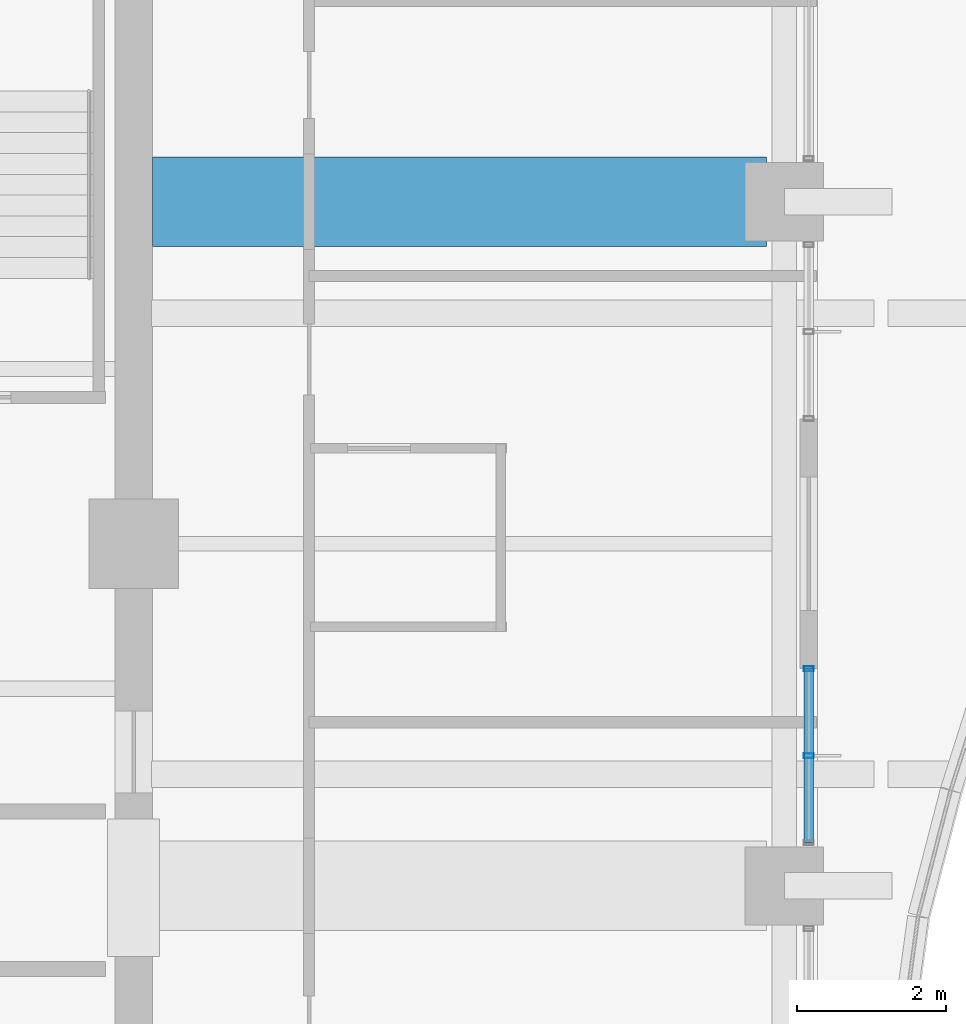
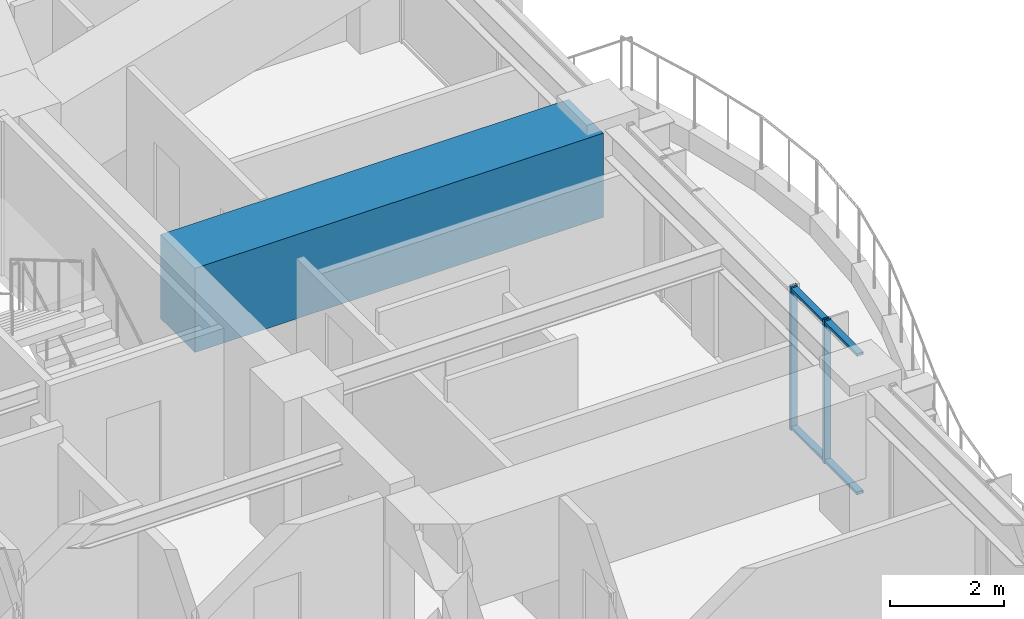
# One storey, part 17 of 36: 4 members, 1 beam, 1 element without a shape of its own.
"""IFC4 building model written with IfcOpenShell, lengths in metres."""

import ifcopenshell
import ifcopenshell.guid

model = None  # the IFC model being written
_history = None  # IfcOwnerHistory: only IFC2X3 demands one
_inside = {}  # id of a spatial element -> (the spatial element, [elements in it])
_under = {}  # id of a project, library or spatial element -> (it, [spatial elements below it])
_declared = {}  # id of a project -> (the project, [libraries it declares])
_typed = {}  # id of a type object -> (the type object, [elements of that type])
_made_of = {}  # id of a material, layer set ... -> (it, [elements and type objects made of it])


def new_model(schema):
    """Start an empty IFC model of exactly this schema.

    Asked for "IFC4X3", IfcOpenShell would pick the latest addendum, in which some entities
    have other attributes; the version numbers below select the first issue.
    IFC2X3 requires an IfcOwnerHistory on every rooted entity: one is made here for all.
    """
    global model, _history
    if schema == "IFC4X3":
        model = ifcopenshell.file(schema_version=(4, 3, 0, 0))
    else:
        model = ifcopenshell.file(schema=schema)
    _inside.clear()
    _under.clear()
    _declared.clear()
    _typed.clear()
    _made_of.clear()
    _history = None
    if model.schema == "IFC2X3":
        org = make("IfcOrganization", Name="unknown")
        user = make(
            "IfcPersonAndOrganization",
            ThePerson=make("IfcPerson", FamilyName="unknown"),
            TheOrganization=org,
        )
        app = make(
            "IfcApplication",
            ApplicationDeveloper=org,
            Version="unknown",
            ApplicationFullName="unknown",
            ApplicationIdentifier="unknown",
        )
        _history = make(
            "IfcOwnerHistory",
            OwningUser=user,
            OwningApplication=app,
            ChangeAction="ADDED",
            CreationDate=0,
        )
    return model


def make(cls, **values):
    """One entity of the class cls with the attributes given. An attribute that is None is left unset."""
    return model.create_entity(
        cls, **{name: value for name, value in values.items() if value is not None}
    )


def rooted(cls, **values):
    """An entity with a GlobalId (a new one), such as an element, a storey or a relation."""
    return make(cls, GlobalId=ifcopenshell.guid.new(), OwnerHistory=_history, **values)


def si_unit(unit_type, name, prefix=None):
    """IfcSIUnit, for example si_unit("LENGTHUNIT", "METRE", prefix="MILLI")."""
    return make("IfcSIUnit", UnitType=unit_type, Prefix=prefix, Name=name)


def assignment(units):
    """IfcUnitAssignment: the units of a project."""
    return None if units is None else make("IfcUnitAssignment", Units=units)


def point(xyz):
    """IfcCartesianPoint."""
    return None if xyz is None else make("IfcCartesianPoint", Coordinates=xyz)


def direction(xyz):
    """IfcDirection."""
    return None if xyz is None else make("IfcDirection", DirectionRatios=xyz)


def frame(location, z_axis=None, x_axis=None):
    """IfcAxis2Placement3D, a coordinate frame: its origin and axes. An axis left out is left unset."""
    return make(
        "IfcAxis2Placement3D",
        Location=point(location),
        Axis=direction(z_axis),
        RefDirection=direction(x_axis),
    )


def frame_2d(location, x_axis=None):
    """IfcAxis2Placement2D, a coordinate frame in the plane: its origin and x axis."""
    return make(
        "IfcAxis2Placement2D", Location=point(location), RefDirection=direction(x_axis)
    )


def origin():
    """The frame at (0, 0, 0) with its axes left unset."""
    return frame((0.0, 0.0, 0.0))


def origin_2d():
    """The frame at (0, 0) in the plane with its x axis left unset."""
    return frame_2d((0.0, 0.0))


def place(relative_to, where):
    """IfcLocalPlacement: puts the frame where relative to a parent placement (None: the world)."""
    return make(
        "IfcLocalPlacement", PlacementRelTo=relative_to, RelativePlacement=where
    )


def context(
    kind, dimensions, precision=None, world=None, true_north=None, identifier=None
):
    """IfcGeometricRepresentationContext, for example the 3D "Model" context."""
    return make(
        "IfcGeometricRepresentationContext",
        ContextIdentifier=identifier,
        ContextType=kind,
        CoordinateSpaceDimension=dimensions,
        Precision=precision,
        WorldCoordinateSystem=world,
        TrueNorth=true_north,
    )


def subcontext(parent, identifier, kind, view, scale=None):
    """IfcGeometricRepresentationSubContext, for example "Body" below "Model"."""
    return make(
        "IfcGeometricRepresentationSubContext",
        ContextIdentifier=identifier,
        ContextType=kind,
        ParentContext=parent,
        TargetScale=scale,
        TargetView=view,
    )


def project(units=None, contexts=None):
    """IfcProject with its units and contexts."""
    return rooted(
        "IfcProject",
        Name="project",
        RepresentationContexts=contexts,
        UnitsInContext=assignment(units),
    )


def spatial(cls, under=None, at=None, **own):
    """A site, building, storey or space (cls), placed at a placement, below another one or the project."""
    s = rooted(cls, ObjectPlacement=at, **own)
    if under is not None:
        _under.setdefault(under.id(), (under, []))[1].append(s)
    return s


def profile(cls, at=None, kind="AREA", **sizes):
    """A parametric profile (cls). Its sizes go by their IFC names, for example OverallWidth=200.0."""
    return make(cls, ProfileType=kind, Position=at, **sizes)


def rectangle(**sizes):
    """IfcRectangleProfileDef."""
    return profile("IfcRectangleProfileDef", **sizes)


def hollow_rectangle(**sizes):
    """IfcRectangleHollowProfileDef."""
    return profile("IfcRectangleHollowProfileDef", **sizes)


def extrude(swept, where, along, depth):
    """IfcExtrudedAreaSolid: the profile swept, set in the frame where, extruded along a direction by depth."""
    return make(
        "IfcExtrudedAreaSolid",
        SweptArea=swept,
        Position=where,
        ExtrudedDirection=direction(along),
        Depth=depth,
    )


def shape(context_of_items, identifier, shape_type, items):
    """IfcShapeRepresentation: the items that make up one representation, for example the "Body"."""
    return make(
        "IfcShapeRepresentation",
        ContextOfItems=context_of_items,
        RepresentationIdentifier=identifier,
        RepresentationType=shape_type,
        Items=items,
    )


def material(Name=None, Category=None):
    """IfcMaterial."""
    return make("IfcMaterial", Name=Name, Category=Category)


def material_profile(
    of_material, cross_section, Name=None, Category=None, Priority=None
):
    """IfcMaterialProfile: a cross section and its material."""
    return make(
        "IfcMaterialProfile",
        Name=Name,
        Material=of_material,
        Profile=cross_section,
        Priority=Priority,
        Category=Category,
    )


def profile_set(profiles, Name=None, composite=None):
    """IfcMaterialProfileSet."""
    return make(
        "IfcMaterialProfileSet",
        Name=Name,
        MaterialProfiles=profiles,
        CompositeProfile=composite,
    )


def made_of(thing, what):
    """Note that an element or type object is made of a material, layer set ...; save() writes the relation."""
    if what is not None:
        _made_of.setdefault(what.id(), (what, []))[1].append(thing)
    return thing


def type_object(cls, material=None, **own):
    """A type object (cls), such as IfcWallType, which elements share."""
    return made_of(rooted(cls, **own), material)


def element(
    cls,
    number,
    at=None,
    inside=None,
    cuts=None,
    type_object=None,
    material=None,
    context=None,
    identifier="Body",
    shape_type=None,
    held_by="IfcProductDefinitionShape",
    body=None,
    shapes=None,
    **own,
):
    """One element of the class cls, such as IfcWall. Its Tag is "e" and its number.

    at: its placement. inside: the storey or other place that contains it. cuts: it is an
    opening in that element (IfcRelVoidsElement). A single representation is given by context,
    identifier, shape_type and body (its items); several are given by shapes. held_by: the class
    of the entity that holds the representations. save() writes the other relations.
    """
    e = rooted(cls, Tag="e%d" % number, ObjectPlacement=at, **own)
    if body is not None:
        shapes = [shape(context, identifier, shape_type, body)]
    if shapes is not None:
        e.Representation = make(held_by, Representations=shapes)
    if inside is not None:
        _inside.setdefault(inside.id(), (inside, []))[1].append(e)
    if cuts is not None:
        rooted(
            "IfcRelVoidsElement", RelatingBuildingElement=cuts, RelatedOpeningElement=e
        )
    if type_object is not None:
        _typed.setdefault(type_object.id(), (type_object, []))[1].append(e)
    return made_of(e, material)


def aggregate(whole, parts):
    """IfcRelAggregates: a whole, such as a stair, and the parts it consists of."""
    return rooted("IfcRelAggregates", RelatingObject=whole, RelatedObjects=parts)


def save(model, path):
    """Write the relations noted so far, then the file.

    IfcRelAggregates (storeys below a building ...), IfcRelContainedInSpatialStructure (elements
    in a storey), IfcRelDefinesByType, IfcRelAssociatesMaterial and IfcRelDeclares: one each for
    every whole, place, type object, material and project.
    """
    for whole, parts in _under.values():
        aggregate(whole, parts)
    for where, things in _inside.values():
        rooted(
            "IfcRelContainedInSpatialStructure",
            RelatedElements=things,
            RelatingStructure=where,
        )
    for kind, things in _typed.values():
        rooted("IfcRelDefinesByType", RelatedObjects=things, RelatingType=kind)
    for what, things in _made_of.values():
        rooted("IfcRelAssociatesMaterial", RelatedObjects=things, RelatingMaterial=what)
    for by, libraries in _declared.values():
        rooted("IfcRelDeclares", RelatingContext=by, RelatedDefinitions=libraries)
    model.write(path)


model = new_model("IFC4")

# Units and contexts
model_context = context("Model", 3, precision=1e-05, world=origin(), true_north=direction((0.0, 1.0)))
body_context = subcontext(model_context, "Body", "Model", "MODEL_VIEW")
ifc_project = project(units=[si_unit("LENGTHUNIT", "METRE"), si_unit("AREAUNIT", "SQUARE_METRE"), si_unit("VOLUMEUNIT", "CUBIC_METRE"), si_unit("PLANEANGLEUNIT", "RADIAN"), si_unit("MASSUNIT", "GRAM", prefix="KILO")], contexts=[model_context])

# Site, building, storey
site_placement = place(None, origin())
site = spatial("IfcSite", under=ifc_project, at=site_placement, CompositionType="ELEMENT")
building_placement = place(site_placement, origin())
building = spatial("IfcBuilding", under=site, at=building_placement, Name="Kolvaren Belvedere", CompositionType="ELEMENT")
storey_placement = place(building_placement, frame((0.0, 0.0, 108.5)))
storey = spatial("IfcBuildingStorey", under=building, at=storey_placement, Name="L31", CompositionType="ELEMENT", Elevation=108.5)

# Beam
ifc_material_1 = material(Name="Concrete C50/60", Category="concrete")
ifc_material_profile_1 = material_profile(ifc_material_1, rectangle(XDim=1.199951171875, YDim=1.800048828125, at=origin_2d()), Name="RC 1200X1800")
ifc_profile_set_1 = profile_set([ifc_material_profile_1], Name="Concrete C50/60")
beam_type = type_object("IfcBeamType", Name="BM-TG-1800", PredefinedType="BEAM", material=ifc_profile_set_1)
beam_placement = place(storey_placement, frame((10.14990234375, 4.60009765625, 2.179931640625), z_axis=(1.0, 0.0, 0.0), x_axis=(0.0, 1.0, 0.0)))
element("IfcBeam", 1, at=beam_placement, inside=storey, type_object=beam_type, Name="L31 East Radial Girder P", PredefinedType="BEAM", context=body_context, shape_type="SweptSolid", body=[
    extrude(rectangle(XDim=1.199951171875, YDim=1.800048828125, at=origin_2d()), origin(), (0.0, 0.0, 1.0), 8.263916015625),
])

# Curtain wall, members
ifc_material_2 = material(Name="Anodised pale-metal aluminium AA 6063-T6", Category="aluminium")
curtain_wall_type = type_object("IfcCurtainWallType", Name="CW-Z3-WAIST", PredefinedType="NOTDEFINED", material=ifc_material_2)
curtain_wall_placement = place(storey_placement, origin())
curtain_wall = element("IfcCurtainWall", 2, at=curtain_wall_placement, inside=storey, type_object=curtain_wall_type, Name="L31 Unitised Curtain Wall FCW-L31-E2-B1", PredefinedType="NOTDEFINED")
ifc_material_3 = material(Name="Anodised pale-metal aluminium AA 6063-T6", Category="aluminium")
ifc_material_profile_2 = material_profile(ifc_material_3, hollow_rectangle(XDim=0.06494140625, YDim=0.1298828125, WallThickness=0.00390625, at=origin_2d()), Name="ALU-MUL-130X65")
ifc_profile_set_2 = profile_set([ifc_material_profile_2], Name="Anodised pale-metal aluminium AA 6063-T6")
member_type_1 = type_object("IfcMemberType", Name="CW-MUL-130", PredefinedType="MULLION", material=ifc_profile_set_2)
member_1_placement = place(storey_placement, frame((18.97998046875, -1.679931640625, 0.0), z_axis=(0.0, 0.0, 1.0), x_axis=(0.0, 1.0, 0.0)))
member_1 = element("IfcMember", 3, at=member_1_placement, type_object=member_type_1, Name="FCW-L31-E2-B1 Unitised Mullion 1", PredefinedType="MULLION", context=body_context, shape_type="SweptSolid", body=[
    extrude(hollow_rectangle(XDim=0.06494140625, YDim=0.1298828125, WallThickness=0.00390625, at=origin_2d()), origin(), (0.0, 0.0, 1.0), 3.080078125),
])
member_2_placement = place(storey_placement, frame((18.97998046875, -2.851318359375, 0.0), z_axis=(0.0, 0.0, 1.0), x_axis=(0.0, 1.0, 0.0)))
member_2 = element("IfcMember", 4, at=member_2_placement, type_object=member_type_1, Name="FCW-L31-E2-B1 Unitised Mullion 2", PredefinedType="MULLION", context=body_context, shape_type="SweptSolid", body=[
    extrude(hollow_rectangle(XDim=0.06494140625, YDim=0.1298828125, WallThickness=0.00390625, at=origin_2d()), origin(), (0.0, 0.0, 1.0), 3.080078125),
])
ifc_material_4 = material(Name="Anodised pale-metal aluminium AA 6063-T6", Category="aluminium")
ifc_material_profile_3 = material_profile(ifc_material_4, hollow_rectangle(XDim=0.06005859375, YDim=0.1298828125, WallThickness=0.00390625, at=origin_2d()), Name="ALU-TRN-130X60")
ifc_profile_set_3 = profile_set([ifc_material_profile_3], Name="Anodised pale-metal aluminium AA 6063-T6")
member_type_2 = type_object("IfcMemberType", Name="CW-TRN-130", PredefinedType="USERDEFINED", material=ifc_profile_set_3)
member_3_placement = place(storey_placement, frame((18.97998046875, -1.679931640625, 0.06005859375), z_axis=(0.0, -1.0, 0.0), x_axis=(0.0, 0.0, 1.0)))
member_3 = element("IfcMember", 5, at=member_3_placement, type_object=member_type_2, Name="FCW-L31-E2-B1 Sill Transom", ObjectType="TRANSOM", PredefinedType="USERDEFINED", context=body_context, shape_type="SweptSolid", body=[
    extrude(hollow_rectangle(XDim=0.06005859375, YDim=0.1298828125, WallThickness=0.00390625, at=origin_2d()), origin(), (0.0, 0.0, 1.0), 2.342529296875),
])
member_4_placement = place(storey_placement, frame((18.97998046875, -1.679931640625, 3.02001953125), z_axis=(0.0, -1.0, 0.0), x_axis=(0.0, 0.0, 1.0)))
member_4 = element("IfcMember", 6, at=member_4_placement, type_object=member_type_2, Name="FCW-L31-E2-B1 Head Transom", ObjectType="TRANSOM", PredefinedType="USERDEFINED", context=body_context, shape_type="SweptSolid", body=[
    extrude(hollow_rectangle(XDim=0.06005859375, YDim=0.1298828125, WallThickness=0.00390625, at=origin_2d()), origin(), (0.0, 0.0, 1.0), 2.342529296875),
])
aggregate(curtain_wall, [member_1, member_2, member_3, member_4])

save(model, "model.ifc")
